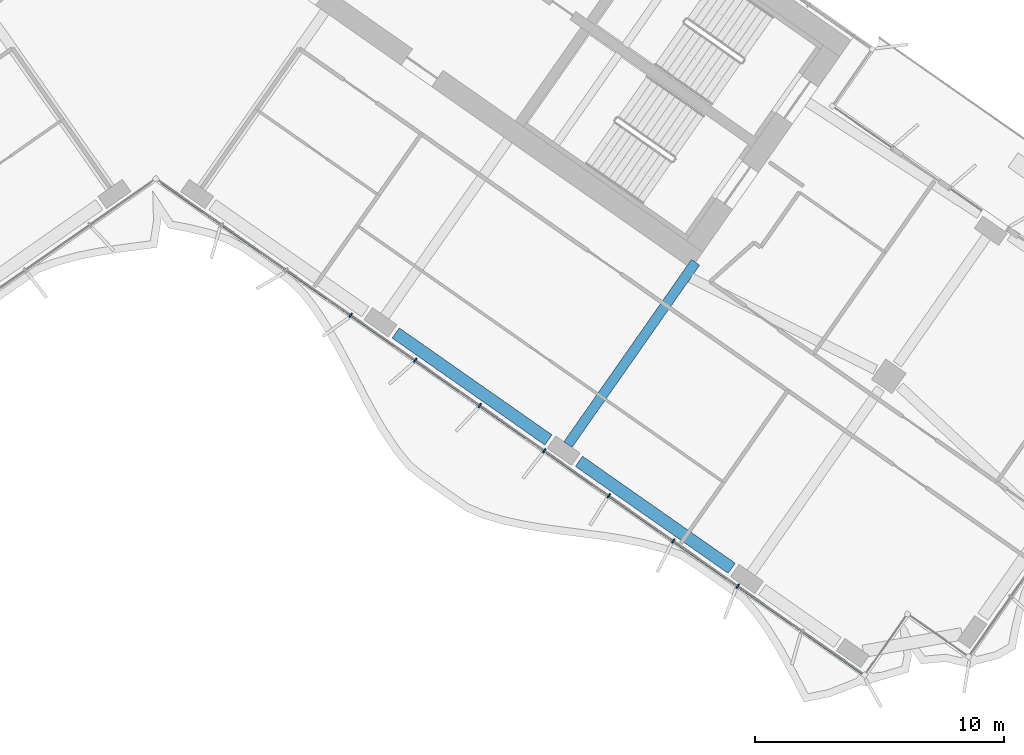
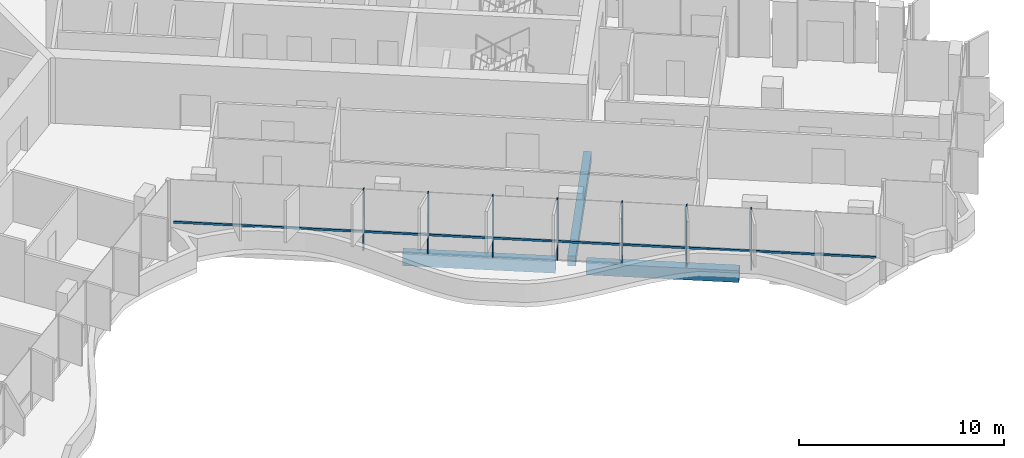
# One storey, part 5 of 24: 8 members, 3 beams, 1 element without a shape of its own.
"""IFC4 building model written with IfcOpenShell, lengths in metres."""

from ifc_helpers import new_model, si_unit, direction, frame, origin, origin_2d, place, context, subcontext, project, spatial, rectangle, extrude, material, material_profile, profile_set, type_object, element, aggregate, save


model = new_model("IFC4")

# Units and contexts
model_context = context("Model", 3, precision=1e-05, world=origin(), true_north=direction((0.0, 1.0)))
body_context = subcontext(model_context, "Body", "Model", "MODEL_VIEW")
ifc_project = project(units=[si_unit("LENGTHUNIT", "METRE"), si_unit("AREAUNIT", "SQUARE_METRE"), si_unit("VOLUMEUNIT", "CUBIC_METRE"), si_unit("PLANEANGLEUNIT", "RADIAN"), si_unit("MASSUNIT", "GRAM", prefix="KILO")], contexts=[model_context])

# Site, building, storey
site_placement = place(None, origin())
site = spatial("IfcSite", under=ifc_project, at=site_placement, CompositionType="ELEMENT")
building_placement = place(site_placement, origin())
building = spatial("IfcBuilding", under=site, at=building_placement, Name="Tel Ilan Convention Tower", CompositionType="ELEMENT")
storey_placement = place(building_placement, frame((0.0, 0.0, 132.0)))
storey = spatial("IfcBuildingStorey", under=building, at=storey_placement, Name="L29", CompositionType="ELEMENT", Elevation=132.0)

# Beams
ifc_material_1 = material(Name="Concrete C40/50", Category="concrete")
ifc_material_profile_1 = material_profile(ifc_material_1, rectangle(XDim=0.39990234375, YDim=0.60009765625, at=origin_2d()), Name="RC 400x600")
ifc_profile_set_1 = profile_set([ifc_material_profile_1], Name="Concrete C40/50")
beam_type_1 = type_object("IfcBeamType", Name="Beam RC 400x600 Concrete C40/50", PredefinedType="BEAM", material=ifc_profile_set_1)
beam_placement = place(storey_placement, frame((16.58203125, -23.391357421875, -0.580078125), z_axis=(0.573584999642, 0.819146048141, 0.0), x_axis=(-0.819146048141, 0.573584999642, 0.0)))
element("IfcBeam", 1, at=beam_placement, inside=storey, type_object=beam_type_1, Name="L29 beam E-E-F3-core", PredefinedType="BEAM", context=body_context, shape_type="SweptSolid", body=[
    extrude(rectangle(XDim=0.39990234375, YDim=0.60009765625, at=origin_2d()), origin(), (0.0, 0.0, 1.0), 8.949951171875),
])
ifc_material_2 = material(Name="Concrete C40/50", Category="concrete")
ifc_material_profile_2 = material_profile(ifc_material_2, rectangle(XDim=0.5, YDim=0.699951171875, at=origin_2d()), Name="RC 500x700")
ifc_profile_set_2 = profile_set([ifc_material_profile_2], Name="Concrete C40/50")
beam_type_2 = type_object("IfcBeamType", Name="Beam RC 500x700 Concrete C40/50", PredefinedType="BEAM", material=ifc_profile_set_2)
for number, where, z_axis, x_axis, name in (
    (2, (9.652099609375, -18.905029296875, -0.6298828125), (0.81915238829, -0.573575945067, 0.0), (0.573575945067, 0.81915238829, 0.0), "L29 beam E-E-F2-E-F3"),
    (3, (17.0244140625, -24.0673828125, -0.6298828125), (0.81915238829, -0.573575945067, 0.0), (0.573575945067, 0.81915238829, 0.0), "L29 beam E-E-F3-E-F4"),
):
    element("IfcBeam", number, at=place(storey_placement, frame(where, z_axis=z_axis, x_axis=x_axis)), inside=storey, type_object=beam_type_2, Name=name, PredefinedType="BEAM", context=body_context, shape_type="SweptSolid", body=[
        extrude(rectangle(XDim=0.5, YDim=0.699951171875, at=origin_2d()), origin(), (0.0, 0.0, 1.0), 7.5),
    ])

# Curtain wall, members
ifc_material_3 = material(Name="Aluminium, bronze anodised", Category="aluminium")
curtain_wall_type = type_object("IfcCurtainWallType", Name="CW4 STICK CURTAIN WALL, OFFICE TINTED GLASS", PredefinedType="NOTDEFINED", material=ifc_material_3)
curtain_wall_placement = place(storey_placement, origin())
curtain_wall = element("IfcCurtainWall", 4, at=curtain_wall_placement, inside=storey, type_object=curtain_wall_type, Name="Curtain wall CW4-23.10", PredefinedType="NOTDEFINED")
ifc_material_4 = material(Name="Aluminium, bronze anodised", Category="aluminium")
ifc_material_profile_3 = material_profile(ifc_material_4, rectangle(XDim=0.06005859375, YDim=0.199951171875, at=origin_2d()), Name="CW MULLION 60x200")
ifc_profile_set_3 = profile_set([ifc_material_profile_3], Name="Aluminium, bronze anodised")
member_type_1 = type_object("IfcMemberType", Name="CW MULLION 60x200", PredefinedType="MULLION", material=ifc_profile_set_3)
member_1_placement = place(storey_placement, frame((7.842529296875, -18.1875, 0.0), z_axis=(0.0, 0.0, 1.0), x_axis=(0.819152044289, -0.573576436351, 0.0)))
member_1 = element("IfcMember", 5, at=member_1_placement, type_object=member_type_1, Name="Mullion", PredefinedType="MULLION", context=body_context, shape_type="SweptSolid", body=[
    extrude(rectangle(XDim=0.06005859375, YDim=0.199951171875, at=origin_2d()), origin(), (0.0, 0.0, 1.0), 3.6201171875),
])
member_2_placement = place(storey_placement, frame((10.4375, -20.004638671875, 0.0), z_axis=(0.0, 0.0, 1.0), x_axis=(0.819152044289, -0.573576436351, 0.0)))
member_2 = element("IfcMember", 6, at=member_2_placement, type_object=member_type_1, Name="Mullion", PredefinedType="MULLION", context=body_context, shape_type="SweptSolid", body=[
    extrude(rectangle(XDim=0.06005859375, YDim=0.199951171875, at=origin_2d()), origin(), (0.0, 0.0, 1.0), 3.6201171875),
])
member_3_placement = place(storey_placement, frame((13.03271484375, -21.821533203125, 0.0), z_axis=(0.0, 0.0, 1.0), x_axis=(0.819152044289, -0.573576436351, 0.0)))
member_3 = element("IfcMember", 7, at=member_3_placement, type_object=member_type_1, Name="Mullion", PredefinedType="MULLION", context=body_context, shape_type="SweptSolid", body=[
    extrude(rectangle(XDim=0.06005859375, YDim=0.199951171875, at=origin_2d()), origin(), (0.0, 0.0, 1.0), 3.6201171875),
])
member_4_placement = place(storey_placement, frame((15.627685546875, -23.638671875, 0.0), z_axis=(0.0, 0.0, 1.0), x_axis=(0.819152044289, -0.573576436351, 0.0)))
member_4 = element("IfcMember", 8, at=member_4_placement, type_object=member_type_1, Name="Mullion", PredefinedType="MULLION", context=body_context, shape_type="SweptSolid", body=[
    extrude(rectangle(XDim=0.06005859375, YDim=0.199951171875, at=origin_2d()), origin(), (0.0, 0.0, 1.0), 3.6201171875),
])
member_5_placement = place(storey_placement, frame((18.222900390625, -25.455810546875, 0.0), z_axis=(0.0, 0.0, 1.0), x_axis=(0.819152044289, -0.573576436351, 0.0)))
member_5 = element("IfcMember", 9, at=member_5_placement, type_object=member_type_1, Name="Mullion", PredefinedType="MULLION", context=body_context, shape_type="SweptSolid", body=[
    extrude(rectangle(XDim=0.06005859375, YDim=0.199951171875, at=origin_2d()), origin(), (0.0, 0.0, 1.0), 3.6201171875),
])
member_6_placement = place(storey_placement, frame((20.81787109375, -27.27294921875, 0.0), z_axis=(0.0, 0.0, 1.0), x_axis=(0.819152044289, -0.573576436351, 0.0)))
member_6 = element("IfcMember", 10, at=member_6_placement, type_object=member_type_1, Name="Mullion", PredefinedType="MULLION", context=body_context, shape_type="SweptSolid", body=[
    extrude(rectangle(XDim=0.06005859375, YDim=0.199951171875, at=origin_2d()), origin(), (0.0, 0.0, 1.0), 3.6201171875),
])
member_7_placement = place(storey_placement, frame((23.412841796875, -29.08984375, 0.0), z_axis=(0.0, 0.0, 1.0), x_axis=(0.819152044289, -0.573576436351, 0.0)))
member_7 = element("IfcMember", 11, at=member_7_placement, type_object=member_type_1, Name="Mullion", PredefinedType="MULLION", context=body_context, shape_type="SweptSolid", body=[
    extrude(rectangle(XDim=0.06005859375, YDim=0.199951171875, at=origin_2d()), origin(), (0.0, 0.0, 1.0), 3.6201171875),
])
ifc_material_5 = material(Name="Aluminium, bronze anodised", Category="aluminium")
ifc_material_profile_4 = material_profile(ifc_material_5, rectangle(XDim=0.10009765625, YDim=0.1201171875, at=origin_2d()), Name="CW TRANSOM 100x120")
ifc_profile_set_4 = profile_set([ifc_material_profile_4], Name="Aluminium, bronze anodised")
member_type_2 = type_object("IfcMemberType", Name="CW TRANSOM 100x120", PredefinedType="USERDEFINED", material=ifc_profile_set_4)
member_8_placement = place(storey_placement, frame((0.22119140625, -12.850830078125, 1.10009765625), z_axis=(0.819151003602, -0.573577922604, 0.0), x_axis=(0.573577922604, 0.819151003602, 0.0)))
member_8 = element("IfcMember", 12, at=member_8_placement, type_object=member_type_2, Name="Transom", ObjectType="TRANSOM", PredefinedType="USERDEFINED", context=body_context, shape_type="SweptSolid", body=[
    extrude(rectangle(XDim=0.10009765625, YDim=0.1201171875, at=origin_2d()), origin(), (0.0, 0.0, 1.0), 34.447998046875),
])
aggregate(curtain_wall, [member_1, member_2, member_3, member_4, member_5, member_6, member_7, member_8])

save(model, "model.ifc")
